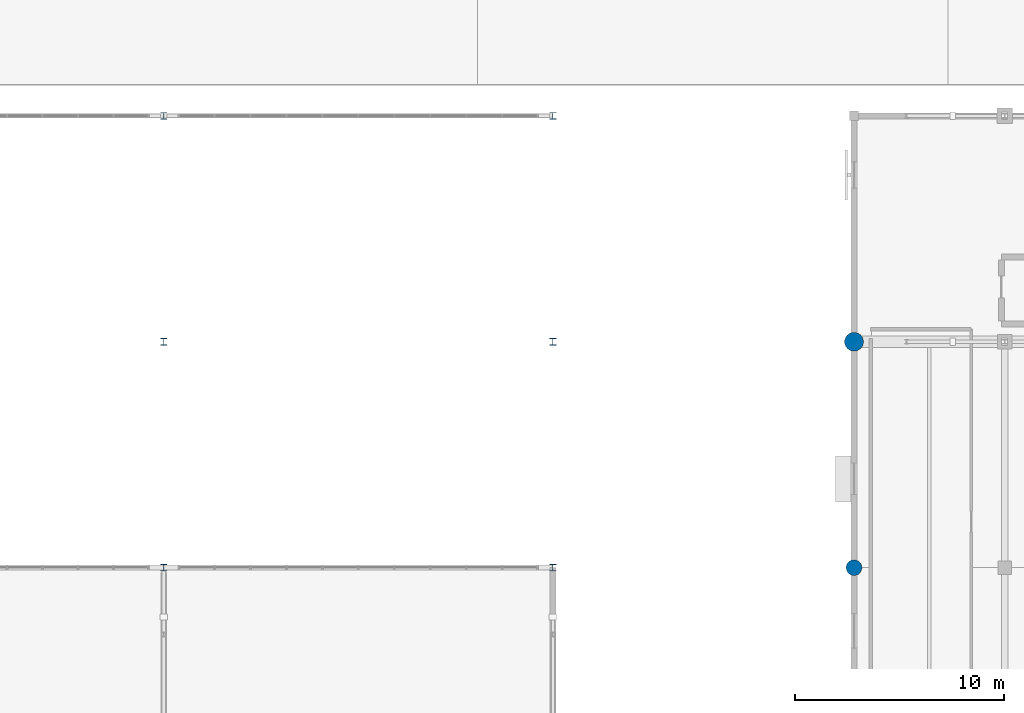
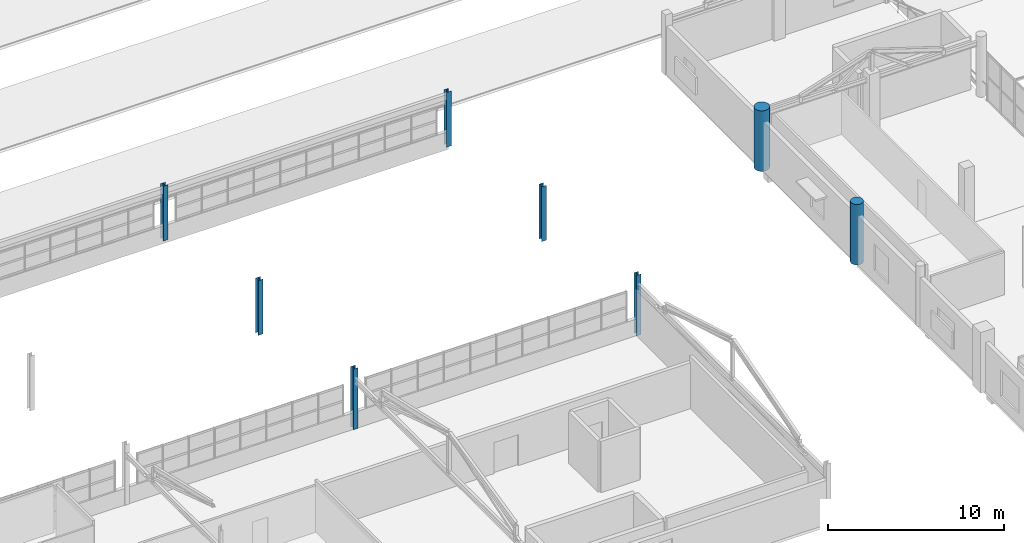
# One storey, part 7 of 90: 8 columns.
"""IFC4 building model written with IfcOpenShell, lengths in metres."""

from ifc_helpers import new_model, si_unit, direction, frame, origin, origin_2d, place, context, subcontext, project, spatial, circle, i_section, extrude, material, material_profile, profile_set, type_object, element, save


model = new_model("IFC4")

# Units and contexts
model_context = context("Model", 3, precision=1e-05, world=origin(), true_north=direction((0.0, 1.0)))
body_context = subcontext(model_context, "Body", "Model", "MODEL_VIEW")
ifc_project = project(units=[si_unit("LENGTHUNIT", "METRE"), si_unit("AREAUNIT", "SQUARE_METRE"), si_unit("VOLUMEUNIT", "CUBIC_METRE"), si_unit("PLANEANGLEUNIT", "RADIAN"), si_unit("MASSUNIT", "GRAM", prefix="KILO")], contexts=[model_context])

# Site, building, storey
site_placement = place(None, origin())
site = spatial("IfcSite", under=ifc_project, at=site_placement, CompositionType="ELEMENT")
building_placement = place(site_placement, origin())
building = spatial("IfcBuilding", under=site, at=building_placement, Name="Solanera Park Tramway Depot", CompositionType="ELEMENT")
storey_placement = place(building_placement, frame((0.0, 0.0, 9.0)))
storey = spatial("IfcBuildingStorey", under=building, at=storey_placement, Name="L02", CompositionType="ELEMENT", Elevation=9.0)

# Columns
ifc_material_1 = material(Name="Concrete N40 (C40/50)", Category="concrete")
ifc_material_profile_1 = material_profile(ifc_material_1, circle(Radius=0.375, at=origin_2d()), Name="RC D750")
ifc_profile_set_1 = profile_set([ifc_material_profile_1], Name="Concrete N40 (C40/50)")
column_type_1 = type_object("IfcColumnType", Name="RC Column Ext RC D750", PredefinedType="COLUMN", material=ifc_profile_set_1)
column_1_placement = place(storey_placement, frame((108.0, 32.39990234375, 0.0), z_axis=(0.0, 0.0, 1.0), x_axis=(1.0, 0.0, 0.0)))
element("IfcColumn", 1, at=column_1_placement, inside=storey, type_object=column_type_1, Name="L02 Column V4-X1080-Y324", PredefinedType="COLUMN", context=body_context, shape_type="SweptSolid", body=[
    extrude(circle(Radius=0.375, at=origin_2d()), origin(), (0.0, 0.0, 1.0), 4.199951171875),
])
ifc_material_2 = material(Name="Concrete N40 (C40/50)", Category="concrete")
ifc_material_profile_2 = material_profile(ifc_material_2, circle(Radius=0.449951171875, at=origin_2d()), Name="RC D900")
ifc_profile_set_2 = profile_set([ifc_material_profile_2], Name="Concrete N40 (C40/50)")
column_type_2 = type_object("IfcColumnType", Name="RC Column Ext RC D900", PredefinedType="COLUMN", material=ifc_profile_set_2)
column_2_placement = place(storey_placement, frame((108.0, 43.199951171875, 0.0), z_axis=(0.0, 0.0, 1.0), x_axis=(1.0, 0.0, 0.0)))
element("IfcColumn", 2, at=column_2_placement, inside=storey, type_object=column_type_2, Name="L02 Column V4-X1080-Y432", PredefinedType="COLUMN", context=body_context, shape_type="SweptSolid", body=[
    extrude(circle(Radius=0.449951171875, at=origin_2d()), origin(), (0.0, 0.0, 1.0), 4.199951171875),
])
ifc_material_3 = material(Name="Steel AS/NZS 3679.1 Grade 350", Category="steel")
ifc_material_profile_3 = material_profile(ifc_material_3, i_section(OverallWidth=0.306884765625, OverallDepth=0.314697265625, WebThickness=0.011962890625, FlangeThickness=0.018798828125, at=origin_2d()), Name="310UC118")
ifc_profile_set_3 = profile_set([ifc_material_profile_3], Name="Steel AS/NZS 3679.1 Grade 350")
column_type_3 = type_object("IfcColumnType", Name="Steel Column Ext 310UC118", PredefinedType="COLUMN", material=ifc_profile_set_3)
column_3_placement = place(storey_placement, frame((75.0, 54.0, 0.0), z_axis=(0.0, 0.0, 1.0), x_axis=(1.0, 0.0, 0.0)))
element("IfcColumn", 3, at=column_3_placement, inside=storey, type_object=column_type_3, Name="L02 Column V2-X750-Y540", PredefinedType="COLUMN", context=body_context, shape_type="SweptSolid", body=[
    extrude(i_section(OverallWidth=0.306884765625, OverallDepth=0.314697265625, WebThickness=0.011962890625, FlangeThickness=0.018798828125, at=origin_2d()), origin(), (0.0, 0.0, 1.0), 3.800048828125),
])
column_4_placement = place(storey_placement, frame((93.60009765625, 32.39990234375, 0.0), z_axis=(0.0, 0.0, 1.0), x_axis=(1.0, 0.0, 0.0)))
element("IfcColumn", 4, at=column_4_placement, inside=storey, type_object=column_type_3, Name="L02 Column V2-X936-Y324", PredefinedType="COLUMN", context=body_context, shape_type="SweptSolid", body=[
    extrude(i_section(OverallWidth=0.306884765625, OverallDepth=0.314697265625, WebThickness=0.011962890625, FlangeThickness=0.018798828125, at=origin_2d()), origin(), (0.0, 0.0, 1.0), 4.199951171875),
])
for number, where, z_axis, x_axis, name in (
    (5, (93.60009765625, 43.199951171875, 0.0), (0.0, 0.0, 1.0), (1.0, 0.0, 0.0), "L02 Column V2-X936-Y432"),
    (6, (93.60009765625, 54.0, 0.0), (0.0, 0.0, 1.0), (1.0, 0.0, 0.0), "L02 Column V2-X936-Y540"),
):
    element("IfcColumn", number, at=place(storey_placement, frame(where, z_axis=z_axis, x_axis=x_axis)), inside=storey, type_object=column_type_3, Name=name, PredefinedType="COLUMN", context=body_context, shape_type="SweptSolid", body=[
        extrude(i_section(OverallWidth=0.306884765625, OverallDepth=0.314697265625, WebThickness=0.011962890625, FlangeThickness=0.018798828125, at=origin_2d()), origin(), (0.0, 0.0, 1.0), 3.800048828125),
    ])
ifc_material_4 = material(Name="Steel AS/NZS 3679.1 Grade 350", Category="steel")
ifc_material_profile_4 = material_profile(ifc_material_4, i_section(OverallWidth=0.306884765625, OverallDepth=0.314697265625, WebThickness=0.011962890625, FlangeThickness=0.018798828125, at=origin_2d()), Name="310UC118")
ifc_profile_set_4 = profile_set([ifc_material_profile_4], Name="Steel AS/NZS 3679.1 Grade 350")
column_type_4 = type_object("IfcColumnType", Name="Steel Column Int 310UC118", PredefinedType="COLUMN", material=ifc_profile_set_4)
column_5_placement = place(storey_placement, frame((75.0, 32.39990234375, 0.0), z_axis=(0.0, 0.0, 1.0), x_axis=(1.0, 0.0, 0.0)))
element("IfcColumn", 7, at=column_5_placement, inside=storey, type_object=column_type_4, Name="L02 Column V2-X750-Y324", PredefinedType="COLUMN", context=body_context, shape_type="SweptSolid", body=[
    extrude(i_section(OverallWidth=0.306884765625, OverallDepth=0.314697265625, WebThickness=0.011962890625, FlangeThickness=0.018798828125, at=origin_2d()), origin(), (0.0, 0.0, 1.0), 4.199951171875),
])
column_6_placement = place(storey_placement, frame((75.0, 43.199951171875, 0.0), z_axis=(0.0, 0.0, 1.0), x_axis=(1.0, 0.0, 0.0)))
element("IfcColumn", 8, at=column_6_placement, inside=storey, type_object=column_type_4, Name="L02 Column V2-X750-Y432", PredefinedType="COLUMN", context=body_context, shape_type="SweptSolid", body=[
    extrude(i_section(OverallWidth=0.306884765625, OverallDepth=0.314697265625, WebThickness=0.011962890625, FlangeThickness=0.018798828125, at=origin_2d()), origin(), (0.0, 0.0, 1.0), 3.800048828125),
])

save(model, "model.ifc")
